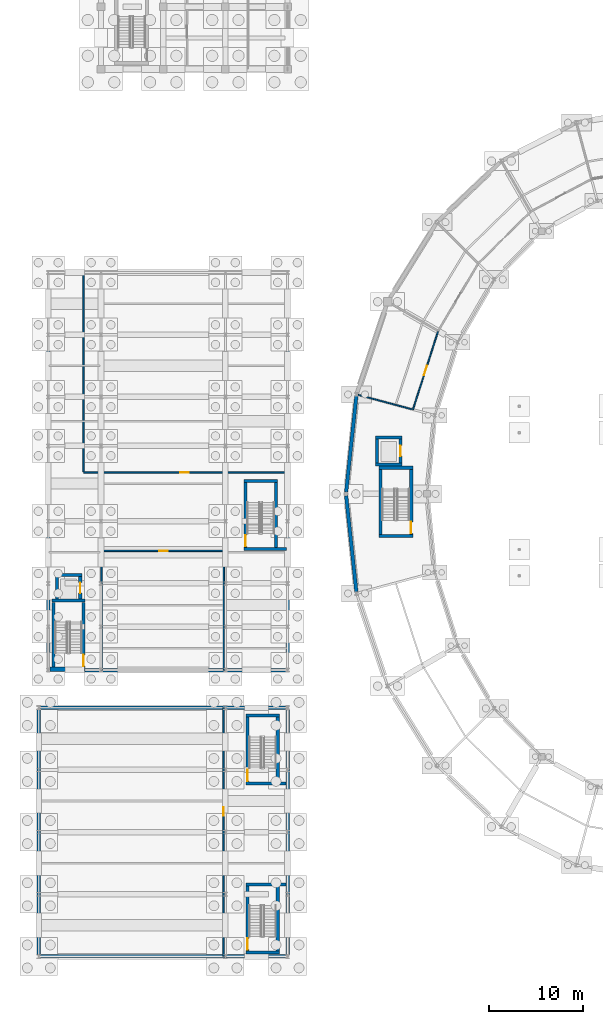
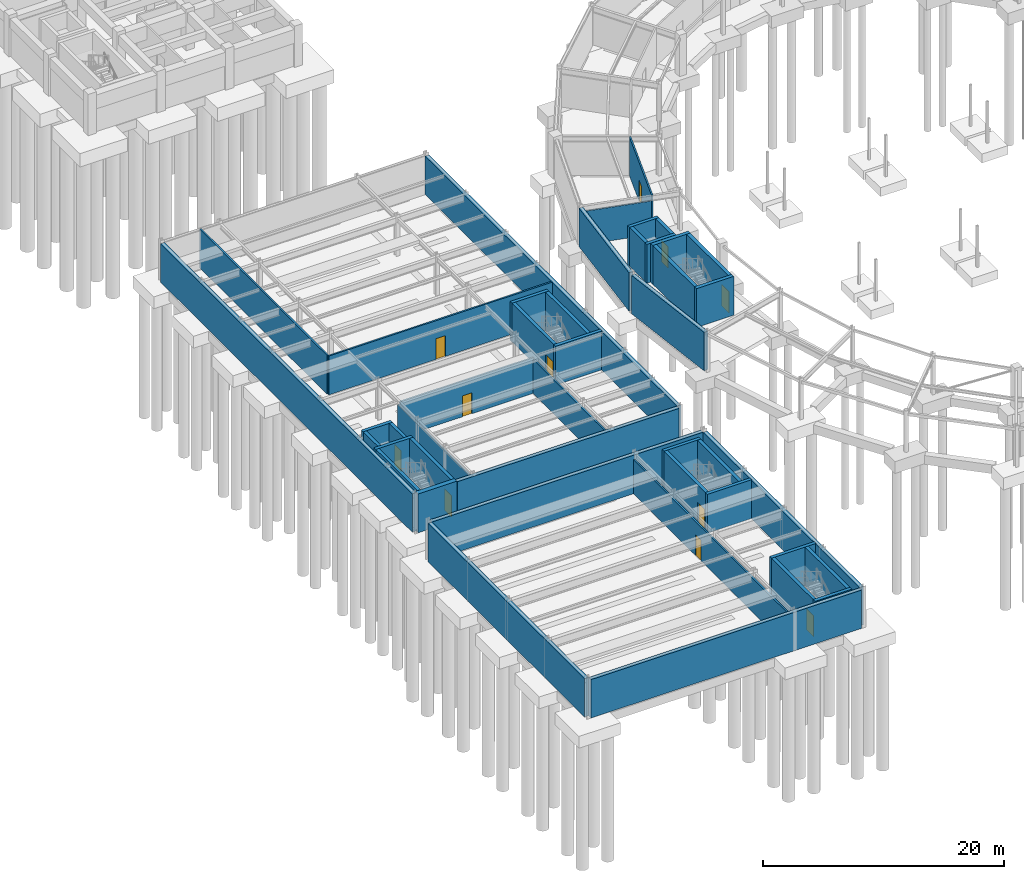
# One storey, part 42 of 58: 44 walls, 11 doors, 11 openings.
"""IFC4 building model written with IfcOpenShell, lengths in metres."""

from ifc_helpers import new_model, si_unit, direction, frame, frame_2d, origin, place, context, subcontext, project, spatial, rectangle, extrude, material, layer, layer_set, type_object, element, fill, save


model = new_model("IFC4")

# Units and contexts
model_context = context("Model", 3, precision=1e-05, world=origin(), true_north=direction((0.0, 1.0)))
body_context = subcontext(model_context, "Body", "Model", "MODEL_VIEW")
ifc_project = project(units=[si_unit("LENGTHUNIT", "METRE"), si_unit("AREAUNIT", "SQUARE_METRE"), si_unit("VOLUMEUNIT", "CUBIC_METRE"), si_unit("PLANEANGLEUNIT", "RADIAN"), si_unit("MASSUNIT", "GRAM", prefix="KILO")], contexts=[model_context])

# Site, building, storey
site_placement = place(None, origin())
site = spatial("IfcSite", under=ifc_project, at=site_placement, CompositionType="ELEMENT")
building_placement = place(site_placement, origin())
building = spatial("IfcBuilding", under=site, at=building_placement, Name="Karori Crest Natural Sciences Institute", CompositionType="ELEMENT")
storey_placement = place(building_placement, frame((0.0, 0.0, -4.199951171875)))
storey = spatial("IfcBuildingStorey", under=building, at=storey_placement, Name="B1", CompositionType="ELEMENT", Elevation=-4.199951171875)

# Walls
ifc_material_1 = material(Name="Concrete 50 MPa", Category="concrete")
ifc_layer_1 = layer(ifc_material_1, 0.449951171875, Name="Concrete 50 MPa")
ifc_layer_set_1 = layer_set([ifc_layer_1], Name="Concrete 50 MPa")
wall_type_1 = type_object("IfcWallType", Name="IWT-01", PredefinedType="SHEAR", material=ifc_layer_set_1)
wall_1_placement = place(storey_placement, frame((1.97705078125, 31.27490234375, 0.0), z_axis=(0.0, 0.0, 1.0), x_axis=(1.0, 0.0, 0.0)))
element("IfcWall", 1, at=wall_1_placement, inside=storey, type_object=wall_type_1, Name="Shear wall IW-0225", PredefinedType="SHEAR", context=body_context, shape_type="SweptSolid", body=[
    extrude(rectangle(XDim=3.742919921875, YDim=0.449951171875, at=frame_2d((1.87158203125, 0.0))), origin(), (0.0, 0.0, 1.0), 3.93994140625),
])
ifc_layer_2 = layer(ifc_material_1, 0.35009765625, Name="Concrete 50 MPa")
ifc_layer_set_2 = layer_set([ifc_layer_2], Name="Concrete 50 MPa")
wall_type_2 = type_object("IfcWallType", Name="IWT-02", PredefinedType="SHEAR", material=ifc_layer_set_2)
for number, where, z_axis, x_axis, name in (
    (2, (36.89990234375, 45.425048828125, 0.0), (0.0, 0.0, 1.0), (1.0, 0.0, 0.0), "Shear wall IW-0037"),
    (3, (36.89990234375, 52.675048828125, 0.0), (0.0, 0.0, 1.0), (1.0, 0.0, 0.0), "Shear wall IW-0038"),
):
    element("IfcWall", number, at=place(storey_placement, frame(where, z_axis=z_axis, x_axis=x_axis)), inside=storey, type_object=wall_type_2, Name=name, PredefinedType="SHEAR", context=body_context, shape_type="SweptSolid", body=[
        extrude(rectangle(XDim=3.60009765625, YDim=0.35009765625, at=frame_2d((1.800048828125, 0.0))), origin(), (0.0, 0.0, 1.0), 3.93994140625),
    ])
wall_2_placement = place(storey_placement, frame((37.074951171875, 45.60205078125, 0.0), z_axis=(0.0, 0.0, 1.0), x_axis=(0.0, 1.0, 0.0)))
element("IfcWall", 4, at=wall_2_placement, inside=storey, type_object=wall_type_2, Name="Shear wall IW-0039", PredefinedType="SHEAR", context=body_context, shape_type="SweptSolid", body=[
    extrude(rectangle(XDim=6.89599609375, YDim=0.35009765625, at=frame_2d((3.447998046875, 0.0))), origin(), (0.0, 0.0, 1.0), 3.93994140625),
])

# Wall, opening, door
wall_3_placement = place(storey_placement, frame((40.324951171875, 45.60205078125, 0.0), z_axis=(0.0, 0.0, 1.0), x_axis=(0.0, 1.0, 0.0)))
wall_3 = element("IfcWall", 5, at=wall_3_placement, inside=storey, type_object=wall_type_2, Name="Shear wall IW-0040", PredefinedType="SHEAR", context=body_context, shape_type="SweptSolid", body=[
    extrude(rectangle(XDim=6.89599609375, YDim=0.35009765625, at=frame_2d((3.447998046875, 0.0))), origin(), (0.0, 0.0, 1.0), 3.93994140625),
])
opening_1_placement = place(wall_3_placement, frame((0.1201171875, 0.0, 0.0)))
opening_1 = element("IfcOpeningElement", 6, at=opening_1_placement, cuts=wall_3, Name="Opening ID-0010", PredefinedType="OPENING", context=body_context, shape_type="SweptSolid", body=[
    extrude(rectangle(XDim=1.199951171875, YDim=2.14990234375, at=frame_2d((0.60009765625, 1.074951171875))), frame((0.0, 0.18505859375, 0.0), z_axis=(0.0, -1.0, 0.0), x_axis=(1.0, 0.0, 0.0)), (0.0, 0.0, 1.0), 0.3701171875),
])
ifc_material_2 = material(Name="Stainless steel 316 and fire-rated timber", Category="steel")
door_type_1 = type_object("IfcDoorType", Name="IDT-01", OperationType="NOTDEFINED", PredefinedType="DOOR", material=ifc_material_2)
door_1_placement = place(opening_1_placement, origin())
door_1 = element("IfcDoor", 7, at=door_1_placement, inside=storey, type_object=door_type_1, Name="Stair ST-02 fire door ID-0010", OperationType="SINGLE_SWING_RIGHT", OverallHeight=2.14990234375, OverallWidth=1.199951171875, PredefinedType="DOOR", context=body_context, shape_type="SweptSolid", body=[
    extrude(rectangle(XDim=1.199951171875, YDim=2.14990234375, at=frame_2d((0.60009765625, 1.074951171875))), frame((0.0, 0.02490234375, 0.0), z_axis=(0.0, -1.0, 0.0), x_axis=(1.0, 0.0, 0.0)), (0.0, 0.0, 1.0), 0.050048828125),
])
fill(opening_1, door_1)

# Walls
ifc_layer_3 = layer(ifc_material_1, 0.320068359375, Name="Concrete 50 MPa")
ifc_layer_set_3 = layer_set([ifc_layer_3], Name="Concrete 50 MPa")
wall_type_3 = type_object("IfcWallType", Name="IWT-03", PredefinedType="SHEAR", material=ifc_layer_set_3)
wall_4_placement = place(storey_placement, frame((2.179931640625, 38.56005859375, 0.0), z_axis=(0.0, 0.0, 1.0), x_axis=(1.0, 0.0, 0.0)))
element("IfcWall", 8, at=wall_4_placement, inside=storey, type_object=wall_type_3, Name="Shear wall IW-0226", PredefinedType="SHEAR", context=body_context, shape_type="SweptSolid", body=[
    extrude(rectangle(XDim=3.5400390625, YDim=0.320068359375, at=frame_2d((1.77001953125, 0.0))), origin(), (0.0, 0.0, 1.0), 3.93994140625),
])
wall_5_placement = place(storey_placement, frame((2.340087890625, 31.501953125, 0.0), z_axis=(0.0, 0.0, 1.0), x_axis=(0.0, 1.0, 0.0)))
element("IfcWall", 9, at=wall_5_placement, inside=storey, type_object=wall_type_3, Name="Shear wall IW-0227", PredefinedType="SHEAR", context=body_context, shape_type="SweptSolid", body=[
    extrude(rectangle(XDim=6.89599609375, YDim=0.320068359375, at=frame_2d((3.447998046875, 0.0))), origin(), (0.0, 0.0, 1.0), 3.93994140625),
])

# Wall, opening, door
wall_6_placement = place(storey_placement, frame((5.56005859375, 31.501953125, 0.0), z_axis=(0.0, 0.0, 1.0), x_axis=(0.0, 1.0, 0.0)))
wall_6 = element("IfcWall", 10, at=wall_6_placement, inside=storey, type_object=wall_type_3, Name="Shear wall IW-0228", PredefinedType="SHEAR", context=body_context, shape_type="SweptSolid", body=[
    extrude(rectangle(XDim=6.89599609375, YDim=0.320068359375, at=frame_2d((3.447998046875, 0.0))), origin(), (0.0, 0.0, 1.0), 3.93994140625),
])
opening_2_placement = place(wall_6_placement, frame((0.1201171875, 0.0, 0.0)))
opening_2 = element("IfcOpeningElement", 11, at=opening_2_placement, cuts=wall_6, Name="Opening ID-0057", PredefinedType="OPENING", context=body_context, shape_type="SweptSolid", body=[
    extrude(rectangle(XDim=1.199951171875, YDim=2.14990234375, at=frame_2d((0.60009765625, 1.074951171875))), frame((0.0, 0.169921875, 0.0), z_axis=(0.0, -1.0, 0.0), x_axis=(1.0, 0.0, 0.0)), (0.0, 0.0, 1.0), 0.340087890625),
])
door_2_placement = place(opening_2_placement, origin())
door_2 = element("IfcDoor", 12, at=door_2_placement, inside=storey, type_object=door_type_1, Name="Stair ST-07 fire door ID-0057", OperationType="SINGLE_SWING_LEFT", OverallHeight=2.14990234375, OverallWidth=1.199951171875, PredefinedType="DOOR", context=body_context, shape_type="SweptSolid", body=[
    extrude(rectangle(XDim=1.199951171875, YDim=2.14990234375, at=frame_2d((0.60009765625, 1.074951171875))), frame((0.0, 0.02490234375, 0.0), z_axis=(0.0, -1.0, 0.0), x_axis=(1.0, 0.0, 0.0)), (0.0, 0.0, 1.0), 0.050048828125),
])
fill(opening_2, door_2)

# Walls
wall_7_placement = place(storey_placement, frame((22.580078125, 44.0400390625, 0.0), z_axis=(0.0, 0.0, 1.0), x_axis=(1.0, 0.0, 0.0)))
element("IfcWall", 13, at=wall_7_placement, inside=storey, type_object=wall_type_3, Name="Shear wall IW-0249", PredefinedType="SHEAR", context=body_context, shape_type="SweptSolid", body=[
    extrude(rectangle(XDim=4.48486328125, YDim=0.320068359375, at=frame_2d((2.242431640625, 0.0))), origin(), (0.0, 0.0, 1.0), 3.93994140625),
])
wall_8_placement = place(storey_placement, frame((22.580078125, 51.260009765625, 0.0), z_axis=(0.0, 0.0, 1.0), x_axis=(1.0, 0.0, 0.0)))
element("IfcWall", 14, at=wall_8_placement, inside=storey, type_object=wall_type_3, Name="Shear wall IW-0250", PredefinedType="SHEAR", context=body_context, shape_type="SweptSolid", body=[
    extrude(rectangle(XDim=3.5400390625, YDim=0.320068359375, at=frame_2d((1.77001953125, 0.0))), origin(), (0.0, 0.0, 1.0), 3.93994140625),
])

# Wall, opening, door
wall_9_placement = place(storey_placement, frame((22.739990234375, 44.201904296875, 0.0), z_axis=(0.0, 0.0, 1.0), x_axis=(0.0, 1.0, 0.0)))
wall_9 = element("IfcWall", 15, at=wall_9_placement, inside=storey, type_object=wall_type_3, Name="Shear wall IW-0251", PredefinedType="SHEAR", context=body_context, shape_type="SweptSolid", body=[
    extrude(rectangle(XDim=6.89599609375, YDim=0.320068359375, at=frame_2d((3.447998046875, 0.0))), origin(), (0.0, 0.0, 1.0), 3.93994140625),
])
opening_3_placement = place(wall_9_placement, frame((0.1201171875, 0.0, 0.0)))
opening_3 = element("IfcOpeningElement", 16, at=opening_3_placement, cuts=wall_9, Name="Opening ID-0063", PredefinedType="OPENING", context=body_context, shape_type="SweptSolid", body=[
    extrude(rectangle(XDim=1.199951171875, YDim=2.14990234375, at=frame_2d((0.60009765625, 1.074951171875))), frame((0.0, 0.169921875, 0.0), z_axis=(0.0, -1.0, 0.0), x_axis=(1.0, 0.0, 0.0)), (0.0, 0.0, 1.0), 0.340087890625),
])
door_3_placement = place(opening_3_placement, origin())
door_3 = element("IfcDoor", 17, at=door_3_placement, inside=storey, type_object=door_type_1, Name="Stair ST-08 fire door ID-0063", OperationType="SINGLE_SWING_LEFT", OverallHeight=2.14990234375, OverallWidth=1.199951171875, PredefinedType="DOOR", context=body_context, shape_type="SweptSolid", body=[
    extrude(rectangle(XDim=1.199951171875, YDim=2.14990234375, at=frame_2d((0.60009765625, 1.074951171875))), frame((0.0, 0.02490234375, 0.0), z_axis=(0.0, -1.0, 0.0), x_axis=(1.0, 0.0, 0.0)), (0.0, 0.0, 1.0), 0.050048828125),
])
fill(opening_3, door_3)

# Walls
wall_10_placement = place(storey_placement, frame((25.9599609375, 44.201904296875, 0.0), z_axis=(0.0, 0.0, 1.0), x_axis=(0.0, 1.0, 0.0)))
element("IfcWall", 18, at=wall_10_placement, inside=storey, type_object=wall_type_3, Name="Shear wall IW-0252", PredefinedType="SHEAR", context=body_context, shape_type="SweptSolid", body=[
    extrude(rectangle(XDim=6.89599609375, YDim=0.320068359375, at=frame_2d((3.447998046875, 0.0))), origin(), (0.0, 0.0, 1.0), 3.93994140625),
])
wall_11_placement = place(storey_placement, frame((22.780029296875, 1.239990234375, 0.0), z_axis=(0.0, 0.0, 1.0), x_axis=(1.0, 0.0, 0.0)))
element("IfcWall", 19, at=wall_11_placement, inside=storey, type_object=wall_type_3, Name="Shear wall IW-0273", PredefinedType="SHEAR", context=body_context, shape_type="SweptSolid", body=[
    extrude(rectangle(XDim=3.5400390625, YDim=0.320068359375, at=frame_2d((1.77001953125, 0.0))), origin(), (0.0, 0.0, 1.0), 3.93994140625),
])
wall_12_placement = place(storey_placement, frame((22.780029296875, 8.4599609375, 0.0), z_axis=(0.0, 0.0, 1.0), x_axis=(1.0, 0.0, 0.0)))
element("IfcWall", 20, at=wall_12_placement, inside=storey, type_object=wall_type_3, Name="Shear wall IW-0274", PredefinedType="SHEAR", context=body_context, shape_type="SweptSolid", body=[
    extrude(rectangle(XDim=4.27490234375, YDim=0.320068359375, at=frame_2d((2.137451171875, 0.0))), origin(), (0.0, 0.0, 1.0), 3.93994140625),
])

# Wall, opening, door
wall_13_placement = place(storey_placement, frame((22.93994140625, 1.402099609375, 0.0), z_axis=(0.0, 0.0, 1.0), x_axis=(0.0, 1.0, 0.0)))
wall_13 = element("IfcWall", 21, at=wall_13_placement, inside=storey, type_object=wall_type_3, Name="Shear wall IW-0275", PredefinedType="SHEAR", context=body_context, shape_type="SweptSolid", body=[
    extrude(rectangle(XDim=6.89599609375, YDim=0.320068359375, at=frame_2d((3.447998046875, 0.0))), origin(), (0.0, 0.0, 1.0), 3.93994140625),
])
opening_4_placement = place(wall_13_placement, frame((0.1201171875, 0.0, 0.0)))
opening_4 = element("IfcOpeningElement", 22, at=opening_4_placement, cuts=wall_13, Name="Opening ID-0069", PredefinedType="OPENING", context=body_context, shape_type="SweptSolid", body=[
    extrude(rectangle(XDim=1.199951171875, YDim=2.14990234375, at=frame_2d((0.60009765625, 1.074951171875))), frame((0.0, 0.169921875, 0.0), z_axis=(0.0, -1.0, 0.0), x_axis=(1.0, 0.0, 0.0)), (0.0, 0.0, 1.0), 0.340087890625),
])
door_4_placement = place(opening_4_placement, origin())
door_4 = element("IfcDoor", 23, at=door_4_placement, inside=storey, type_object=door_type_1, Name="Stair ST-09 fire door ID-0069", OperationType="SINGLE_SWING_LEFT", OverallHeight=2.14990234375, OverallWidth=1.199951171875, PredefinedType="DOOR", context=body_context, shape_type="SweptSolid", body=[
    extrude(rectangle(XDim=1.199951171875, YDim=2.14990234375, at=frame_2d((0.60009765625, 1.074951171875))), frame((0.0, 0.02490234375, 0.0), z_axis=(0.0, -1.0, 0.0), x_axis=(1.0, 0.0, 0.0)), (0.0, 0.0, 1.0), 0.050048828125),
])
fill(opening_4, door_4)

# Walls
wall_14_placement = place(storey_placement, frame((26.159912109375, 1.402099609375, 0.0), z_axis=(0.0, 0.0, 1.0), x_axis=(0.0, 1.0, 0.0)))
element("IfcWall", 24, at=wall_14_placement, inside=storey, type_object=wall_type_3, Name="Shear wall IW-0276", PredefinedType="SHEAR", context=body_context, shape_type="SweptSolid", body=[
    extrude(rectangle(XDim=6.89599609375, YDim=0.320068359375, at=frame_2d((3.447998046875, 0.0))), origin(), (0.0, 0.0, 1.0), 3.93994140625),
])
wall_15_placement = place(storey_placement, frame((22.780029296875, 19.139892578125, 0.0), z_axis=(0.0, 0.0, 1.0), x_axis=(1.0, 0.0, 0.0)))
element("IfcWall", 25, at=wall_15_placement, inside=storey, type_object=wall_type_3, Name="Shear wall IW-0289", PredefinedType="SHEAR", context=body_context, shape_type="SweptSolid", body=[
    extrude(rectangle(XDim=4.27490234375, YDim=0.320068359375, at=frame_2d((2.137451171875, 0.0))), origin(), (0.0, 0.0, 1.0), 3.93994140625),
])
wall_16_placement = place(storey_placement, frame((22.780029296875, 26.360107421875, 0.0), z_axis=(0.0, 0.0, 1.0), x_axis=(1.0, 0.0, 0.0)))
element("IfcWall", 26, at=wall_16_placement, inside=storey, type_object=wall_type_3, Name="Shear wall IW-0290", PredefinedType="SHEAR", context=body_context, shape_type="SweptSolid", body=[
    extrude(rectangle(XDim=3.5400390625, YDim=0.320068359375, at=frame_2d((1.77001953125, 0.0))), origin(), (0.0, 0.0, 1.0), 3.93994140625),
])

# Wall, opening, door
wall_17_placement = place(storey_placement, frame((22.93994140625, 19.302001953125, 0.0), z_axis=(0.0, 0.0, 1.0), x_axis=(0.0, 1.0, 0.0)))
wall_17 = element("IfcWall", 27, at=wall_17_placement, inside=storey, type_object=wall_type_3, Name="Shear wall IW-0291", PredefinedType="SHEAR", context=body_context, shape_type="SweptSolid", body=[
    extrude(rectangle(XDim=6.89599609375, YDim=0.320068359375, at=frame_2d((3.447998046875, 0.0))), origin(), (0.0, 0.0, 1.0), 3.93994140625),
])
opening_5_placement = place(wall_17_placement, frame((0.1201171875, 0.0, 0.0)))
opening_5 = element("IfcOpeningElement", 28, at=opening_5_placement, cuts=wall_17, Name="Opening ID-0073", PredefinedType="OPENING", context=body_context, shape_type="SweptSolid", body=[
    extrude(rectangle(XDim=1.199951171875, YDim=2.14990234375, at=frame_2d((0.60009765625, 1.074951171875))), frame((0.0, 0.169921875, 0.0), z_axis=(0.0, -1.0, 0.0), x_axis=(1.0, 0.0, 0.0)), (0.0, 0.0, 1.0), 0.340087890625),
])
door_5_placement = place(opening_5_placement, origin())
door_5 = element("IfcDoor", 29, at=door_5_placement, inside=storey, type_object=door_type_1, Name="Stair ST-10 fire door ID-0073", OperationType="SINGLE_SWING_LEFT", OverallHeight=2.14990234375, OverallWidth=1.199951171875, PredefinedType="DOOR", context=body_context, shape_type="SweptSolid", body=[
    extrude(rectangle(XDim=1.199951171875, YDim=2.14990234375, at=frame_2d((0.60009765625, 1.074951171875))), frame((0.0, 0.02490234375, 0.0), z_axis=(0.0, -1.0, 0.0), x_axis=(1.0, 0.0, 0.0)), (0.0, 0.0, 1.0), 0.050048828125),
])
fill(opening_5, door_5)

# Walls
wall_18_placement = place(storey_placement, frame((26.159912109375, 19.302001953125, 0.0), z_axis=(0.0, 0.0, 1.0), x_axis=(0.0, 1.0, 0.0)))
element("IfcWall", 30, at=wall_18_placement, inside=storey, type_object=wall_type_3, Name="Shear wall IW-0292", PredefinedType="SHEAR", context=body_context, shape_type="SweptSolid", body=[
    extrude(rectangle(XDim=6.89599609375, YDim=0.320068359375, at=frame_2d((3.447998046875, 0.0))), origin(), (0.0, 0.0, 1.0), 3.93994140625),
])
for number, where, z_axis, x_axis, name in (
    (31, (36.544921875, 53.030029296875, 0.0), (0.0, 0.0, 1.0), (1.0, 0.0, 0.0), "Shear wall IW-0437"),
    (32, (36.544921875, 55.89501953125, 0.0), (0.0, 0.0, 1.0), (1.0, 0.0, 0.0), "Shear wall IW-0438"),
):
    element("IfcWall", number, at=place(storey_placement, frame(where, z_axis=z_axis, x_axis=x_axis)), inside=storey, type_object=wall_type_3, Name=name, PredefinedType="SHEAR", context=body_context, shape_type="SweptSolid", body=[
        extrude(rectangle(XDim=2.81005859375, YDim=0.320068359375, at=frame_2d((1.405029296875, 0.0))), origin(), (0.0, 0.0, 1.0), 3.93994140625),
    ])
wall_19_placement = place(storey_placement, frame((36.705078125, 53.19189453125, 0.0), z_axis=(0.0, 0.0, 1.0), x_axis=(0.0, 1.0, 0.0)))
element("IfcWall", 33, at=wall_19_placement, inside=storey, type_object=wall_type_3, Name="Shear wall IW-0439", PredefinedType="SHEAR", context=body_context, shape_type="SweptSolid", body=[
    extrude(rectangle(XDim=2.541015625, YDim=0.320068359375, at=frame_2d((1.2705078125, 0.0))), origin(), (0.0, 0.0, 1.0), 3.93994140625),
])

# Wall, opening, door
wall_20_placement = place(storey_placement, frame((39.195068359375, 53.19189453125, 0.0), z_axis=(0.0, 0.0, 1.0), x_axis=(0.0, 1.0, 0.0)))
wall_20 = element("IfcWall", 34, at=wall_20_placement, inside=storey, type_object=wall_type_3, Name="Shear wall IW-0440", PredefinedType="SHEAR", context=body_context, shape_type="SweptSolid", body=[
    extrude(rectangle(XDim=2.541015625, YDim=0.320068359375, at=frame_2d((1.2705078125, 0.0))), origin(), (0.0, 0.0, 1.0), 3.93994140625),
])
opening_6_placement = place(wall_20_placement, frame((0.720458984375, 0.0, 0.0)))
opening_6 = element("IfcOpeningElement", 35, at=opening_6_placement, cuts=wall_20, Name="Opening LD-0034", PredefinedType="OPENING", context=body_context, shape_type="SweptSolid", body=[
    extrude(rectangle(XDim=1.10009765625, YDim=2.14990234375, at=frame_2d((0.550048828125, 1.074951171875))), frame((0.0, 0.169921875, 0.0), z_axis=(0.0, -1.0, 0.0), x_axis=(1.0, 0.0, 0.0)), (0.0, 0.0, 1.0), 0.340087890625),
])
door_type_2 = type_object("IfcDoorType", Name="LDT-01", OperationType="SLIDING_TO_LEFT", PredefinedType="DOOR", material=ifc_material_2)
door_6_placement = place(opening_6_placement, origin())
door_6 = element("IfcDoor", 36, at=door_6_placement, inside=storey, type_object=door_type_2, Name="Lift LP-02 landing door LD-0034", OperationType="SLIDING_TO_LEFT", OverallHeight=2.14990234375, OverallWidth=1.10009765625, PredefinedType="DOOR", context=body_context, shape_type="SweptSolid", body=[
    extrude(rectangle(XDim=1.10009765625, YDim=2.14990234375, at=frame_2d((0.550048828125, 1.074951171875))), frame((0.0, 0.02490234375, 0.0), z_axis=(0.0, -1.0, 0.0), x_axis=(1.0, 0.0, 0.0)), (0.0, 0.0, 1.0), 0.050048828125),
])
fill(opening_6, door_6)

# Walls
wall_21_placement = place(storey_placement, frame((2.544921875, 41.294921875, 0.0), z_axis=(0.0, 0.0, 1.0), x_axis=(1.0, 0.0, 0.0)))
element("IfcWall", 37, at=wall_21_placement, inside=storey, type_object=wall_type_3, Name="Shear wall IW-0469", PredefinedType="SHEAR", context=body_context, shape_type="SweptSolid", body=[
    extrude(rectangle(XDim=2.81005859375, YDim=0.320068359375, at=frame_2d((1.405029296875, 0.0))), origin(), (0.0, 0.0, 1.0), 3.93994140625),
])
wall_22_placement = place(storey_placement, frame((2.705078125, 38.721923828125, 0.0), z_axis=(0.0, 0.0, 1.0), x_axis=(0.0, 1.0, 0.0)))
element("IfcWall", 38, at=wall_22_placement, inside=storey, type_object=wall_type_3, Name="Shear wall IW-0470", PredefinedType="SHEAR", context=body_context, shape_type="SweptSolid", body=[
    extrude(rectangle(XDim=2.4111328125, YDim=0.320068359375, at=frame_2d((1.20556640625, 0.0))), origin(), (0.0, 0.0, 1.0), 3.93994140625),
])

# Wall, opening, door
wall_23_placement = place(storey_placement, frame((5.195068359375, 38.721923828125, 0.0), z_axis=(0.0, 0.0, 1.0), x_axis=(0.0, 1.0, 0.0)))
wall_23 = element("IfcWall", 39, at=wall_23_placement, inside=storey, type_object=wall_type_3, Name="Shear wall IW-0471", PredefinedType="SHEAR", context=body_context, shape_type="SweptSolid", body=[
    extrude(rectangle(XDim=2.4111328125, YDim=0.320068359375, at=frame_2d((1.20556640625, 0.0))), origin(), (0.0, 0.0, 1.0), 3.93994140625),
])
opening_7_placement = place(wall_23_placement, frame((0.655517578125, 0.0, 0.0)))
opening_7 = element("IfcOpeningElement", 40, at=opening_7_placement, cuts=wall_23, Name="Opening LD-0042", PredefinedType="OPENING", context=body_context, shape_type="SweptSolid", body=[
    extrude(rectangle(XDim=1.10009765625, YDim=2.14990234375, at=frame_2d((0.550048828125, 1.074951171875))), frame((0.0, 0.169921875, 0.0), z_axis=(0.0, -1.0, 0.0), x_axis=(1.0, 0.0, 0.0)), (0.0, 0.0, 1.0), 0.340087890625),
])
door_7_placement = place(opening_7_placement, origin())
door_7 = element("IfcDoor", 41, at=door_7_placement, inside=storey, type_object=door_type_2, Name="Lift LP-03 landing door LD-0042", OperationType="SLIDING_TO_LEFT", OverallHeight=2.14990234375, OverallWidth=1.10009765625, PredefinedType="DOOR", context=body_context, shape_type="SweptSolid", body=[
    extrude(rectangle(XDim=1.10009765625, YDim=2.14990234375, at=frame_2d((0.550048828125, 1.074951171875))), frame((0.0, 0.02490234375, 0.0), z_axis=(0.0, -1.0, 0.0), x_axis=(1.0, 0.0, 0.0)), (0.0, 0.0, 1.0), 0.050048828125),
])
fill(opening_7, door_7)

ifc_material_3 = material(Name="Acoustic steel-stud fireboard partition", Category="steel")
ifc_layer_4 = layer(ifc_material_3, 0.159912109375, Name="Acoustic steel-stud fireboard partition")
ifc_layer_set_4 = layer_set([ifc_layer_4], Name="Acoustic steel-stud fireboard partition")
wall_type_4 = type_object("IfcWallType", Name="IWT-05", PredefinedType="PARTITIONING", material=ifc_layer_set_4)
wall_24_placement = place(storey_placement, frame((20.39990234375, 0.800048828125, 0.0), z_axis=(0.0, 0.0, 1.0), x_axis=(0.0, 1.0, 0.0)))
wall_24 = element("IfcWall", 42, at=wall_24_placement, inside=storey, type_object=wall_type_4, Name="Partition wall IW-1050", PredefinedType="PARTITIONING", context=body_context, shape_type="SweptSolid", body=[
    extrude(rectangle(XDim=26.39990234375, YDim=0.159912109375, at=frame_2d((13.199951171875, 0.0))), origin(), (0.0, 0.0, 1.0), 3.445068359375),
])
opening_8_placement = place(wall_24_placement, frame((14.949951171875, 0.0, 0.0)))
opening_8 = element("IfcOpeningElement", 43, at=opening_8_placement, cuts=wall_24, Name="Opening ID-0293", PredefinedType="OPENING", context=body_context, shape_type="SweptSolid", body=[
    extrude(rectangle(XDim=0.89990234375, YDim=2.10009765625, at=frame_2d((0.449951171875, 1.050048828125))), frame((0.0, 0.08984375, 0.0), z_axis=(0.0, -1.0, 0.0), x_axis=(1.0, 0.0, 0.0)), (0.0, 0.0, 1.0), 0.179931640625),
])
door_type_3 = type_object("IfcDoorType", Name="IDT-07", OperationType="NOTDEFINED", PredefinedType="DOOR", material=ifc_material_2)
door_8_placement = place(opening_8_placement, origin())
door_8 = element("IfcDoor", 44, at=door_8_placement, inside=storey, type_object=door_type_3, Name="Lecture Pavilion Acoustic Return Plenum Plant Room door ID-0293", OperationType="SINGLE_SWING_LEFT", OverallHeight=2.10009765625, OverallWidth=0.89990234375, PredefinedType="DOOR", context=body_context, shape_type="SweptSolid", body=[
    extrude(rectangle(XDim=0.89990234375, YDim=2.10009765625, at=frame_2d((0.449951171875, 1.050048828125))), frame((0.0, 0.02490234375, 0.0), z_axis=(0.0, -1.0, 0.0), x_axis=(1.0, 0.0, 0.0)), (0.0, 0.0, 1.0), 0.050048828125),
])
fill(opening_8, door_8)

wall_25_placement = place(storey_placement, frame((7.612060546875, 43.85009765625, 0.0), z_axis=(0.0, 0.0, 1.0), x_axis=(1.0, 0.0, 0.0)))
wall_25 = element("IfcWall", 45, at=wall_25_placement, inside=storey, type_object=wall_type_4, Name="Partition wall IW-1074", PredefinedType="PARTITIONING", context=body_context, shape_type="SweptSolid", body=[
    extrude(rectangle(XDim=12.837890625, YDim=0.159912109375, at=frame_2d((6.4189453125, 0.0))), origin(), (0.0, 0.0, 1.0), 3.60498046875),
])
opening_9_placement = place(wall_25_placement, frame((5.958984375, 0.0, 0.0)))
opening_9 = element("IfcOpeningElement", 46, at=opening_9_placement, cuts=wall_25, Name="Opening ID-0308", PredefinedType="OPENING", context=body_context, shape_type="SweptSolid", body=[
    extrude(rectangle(XDim=0.919921875, YDim=2.1201171875, at=frame_2d((0.4599609375, 1.06005859375))), frame((0.0, 0.08984375, 0.0), z_axis=(0.0, -1.0, 0.0), x_axis=(1.0, 0.0, 0.0)), (0.0, 0.0, 1.0), 0.179931640625),
])
door_type_4 = type_object("IfcDoorType", Name="IDT-14", OperationType="NOTDEFINED", PredefinedType="DOOR", material=ifc_material_2)
door_9_placement = place(opening_9_placement, origin())
door_9 = element("IfcDoor", 47, at=door_9_placement, inside=storey, type_object=door_type_4, Name="Specimen Archive Compact Storage Vault door ID-0308", OperationType="SINGLE_SWING_LEFT", OverallHeight=2.1201171875, OverallWidth=0.919921875, PredefinedType="DOOR", context=body_context, shape_type="SweptSolid", body=[
    extrude(rectangle(XDim=0.919921875, YDim=2.1201171875, at=frame_2d((0.4599609375, 1.06005859375))), frame((0.0, 0.02490234375, 0.0), z_axis=(0.0, -1.0, 0.0), x_axis=(1.0, 0.0, 0.0)), (0.0, 0.0, 1.0), 0.050048828125),
])
fill(opening_9, door_9)

# Walls
wall_26_placement = place(storey_placement, frame((7.449951171875, 31.199951171875, 0.0), z_axis=(0.0, 0.0, 1.0), x_axis=(0.0, 1.0, 0.0)))
element("IfcWall", 48, at=wall_26_placement, inside=storey, type_object=wall_type_4, Name="Partition wall IW-1075", PredefinedType="PARTITIONING", context=body_context, shape_type="SweptSolid", body=[
    extrude(rectangle(XDim=12.568115234375, YDim=0.159912109375, at=frame_2d((6.2841796875, 0.0))), origin(), (0.0, 0.0, 1.0), 3.445068359375),
])
wall_27_placement = place(storey_placement, frame((20.449951171875, 31.199951171875, 0.0), z_axis=(0.0, 0.0, 1.0), x_axis=(0.0, 1.0, 0.0)))
element("IfcWall", 49, at=wall_27_placement, inside=storey, type_object=wall_type_4, Name="Partition wall IW-1076", PredefinedType="PARTITIONING", context=body_context, shape_type="SweptSolid", body=[
    extrude(rectangle(XDim=12.650146484375, YDim=0.159912109375, at=frame_2d((6.3251953125, 0.0))), origin(), (0.0, 0.0, 1.0), 3.445068359375),
])

# Wall, opening, door
wall_28_placement = place(storey_placement, frame((5.550048828125, 52.14990234375, 0.0), z_axis=(0.0, 0.0, 1.0), x_axis=(1.0, 0.0, 0.0)))
wall_28 = element("IfcWall", 50, at=wall_28_placement, inside=storey, type_object=wall_type_4, Name="Partition wall IW-1077", PredefinedType="PARTITIONING", context=body_context, shape_type="SweptSolid", body=[
    extrude(rectangle(XDim=21.4580078125, YDim=0.159912109375, at=frame_2d((10.72900390625, 0.0))), origin(), (0.0, 0.0, 1.0), 3.93994140625),
])
opening_10_placement = place(wall_28_placement, frame((10.279052734375, 0.0, 0.0)))
opening_10 = element("IfcOpeningElement", 51, at=opening_10_placement, cuts=wall_28, Name="Opening ID-0309", PredefinedType="OPENING", context=body_context, shape_type="SweptSolid", body=[
    extrude(rectangle(XDim=0.89990234375, YDim=2.10009765625, at=frame_2d((0.449951171875, 1.050048828125))), frame((0.0, 0.08984375, 0.0), z_axis=(0.0, -1.0, 0.0), x_axis=(1.0, 0.0, 0.0)), (0.0, 0.0, 1.0), 0.179931640625),
])
door_10_placement = place(opening_10_placement, origin())
door_10 = element("IfcDoor", 52, at=door_10_placement, inside=storey, type_object=door_type_3, Name="Marine Core Cold Storage Vault door ID-0309", OperationType="SINGLE_SWING_RIGHT", OverallHeight=2.10009765625, OverallWidth=0.89990234375, PredefinedType="DOOR", context=body_context, shape_type="SweptSolid", body=[
    extrude(rectangle(XDim=0.89990234375, YDim=2.10009765625, at=frame_2d((0.449951171875, 1.050048828125))), frame((0.0, 0.02490234375, 0.0), z_axis=(0.0, -1.0, 0.0), x_axis=(1.0, 0.0, 0.0)), (0.0, 0.0, 1.0), 0.050048828125),
])
fill(opening_10, door_10)

# Wall
wall_29_placement = place(storey_placement, frame((5.550048828125, 52.23193359375, 0.0), z_axis=(0.0, 0.0, 1.0), x_axis=(0.0, 1.0, 0.0)))
element("IfcWall", 53, at=wall_29_placement, inside=storey, type_object=wall_type_4, Name="Partition wall IW-1078", PredefinedType="PARTITIONING", context=body_context, shape_type="SweptSolid", body=[
    extrude(rectangle(XDim=21.16796875, YDim=0.159912109375, at=frame_2d((10.583984375, 0.0))), origin(), (0.0, 0.0, 1.0), 3.93994140625),
])

# Wall, opening, door
ifc_material_4 = material(Name="Laboratory acoustic drywall partition")
ifc_layer_5 = layer(ifc_material_4, 0.139892578125, Name="Laboratory acoustic drywall partition")
ifc_layer_set_5 = layer_set([ifc_layer_5], Name="Laboratory acoustic drywall partition")
wall_type_5 = type_object("IfcWallType", Name="IWT-07", PredefinedType="PARTITIONING", material=ifc_layer_set_5)
wall_30_placement = place(storey_placement, frame((43.16796875, 67.1298828125, 0.0), z_axis=(0.0, 0.0, 1.0), x_axis=(-0.305487150125, -0.952196198852, 0.0)))
wall_30 = element("IfcWall", 54, at=wall_30_placement, inside=storey, type_object=wall_type_5, Name="Partition wall IW-1166", PredefinedType="PARTITIONING", context=body_context, shape_type="SweptSolid", body=[
    extrude(rectangle(XDim=8.6904296875, YDim=0.139892578125, at=frame_2d((4.34521484375, 0.0))), origin(), (0.0, 0.0, 1.0), 3.93994140625),
])
opening_11_placement = place(wall_30_placement, frame((3.820068359375, 0.0, 0.0)))
opening_11 = element("IfcOpeningElement", 55, at=opening_11_placement, cuts=wall_30, Name="Opening ID-0347", PredefinedType="OPENING", context=body_context, shape_type="SweptSolid", body=[
    extrude(rectangle(XDim=1.050048828125, YDim=2.14990234375, at=frame_2d((0.52490234375, 1.074951171875))), frame((0.0, 0.080078125, 0.0), z_axis=(0.0, -1.0, 0.0), x_axis=(1.0, 0.0, 0.0)), (0.0, 0.0, 1.0), 0.159912109375),
])
door_type_5 = type_object("IfcDoorType", Name="IDT-03", OperationType="NOTDEFINED", PredefinedType="DOOR", material=ifc_material_2)
door_11_placement = place(opening_11_placement, origin())
door_11 = element("IfcDoor", 56, at=door_11_placement, inside=storey, type_object=door_type_5, Name="Specimen Cold Store door ID-0347", OperationType="SINGLE_SWING_LEFT", OverallHeight=2.14990234375, OverallWidth=1.050048828125, PredefinedType="DOOR", context=body_context, shape_type="SweptSolid", body=[
    extrude(rectangle(XDim=1.050048828125, YDim=2.14990234375, at=frame_2d((0.52490234375, 1.074951171875))), frame((0.0, 0.02490234375, 0.0), z_axis=(0.0, -1.0, 0.0), x_axis=(1.0, 0.0, 0.0)), (0.0, 0.0, 1.0), 0.050048828125),
])
fill(opening_11, door_11)

# Walls
wall_31_placement = place(storey_placement, frame((40.435791015625, 58.875732421875, 0.0), z_axis=(0.0, 0.0, 1.0), x_axis=(-0.96592525441, 0.258821179375, 0.0)))
element("IfcWall", 57, at=wall_31_placement, inside=storey, type_object=wall_type_5, Name="Partition wall IW-1167", PredefinedType="PARTITIONING", context=body_context, shape_type="SweptSolid", body=[
    extrude(rectangle(XDim=5.927490234375, YDim=0.139892578125, at=frame_2d((2.9638671875, 0.0))), origin(), (0.0, 0.0, 1.0), 3.391845703125),
])
ifc_material_5 = material(Name="Concrete 40 MPa", Category="concrete")
ifc_layer_6 = layer(ifc_material_5, 0.3798828125, Name="Concrete 40 MPa")
ifc_layer_set_6 = layer_set([ifc_layer_6], Name="Concrete 40 MPa")
wall_type_6 = type_object("IfcWallType", Name="WT-08", PredefinedType="USERDEFINED", material=ifc_layer_set_6)
for number, where, z_axis, x_axis, name in (
    (58, (33.42138671875, 50.10009765625, 0.0), (0.0, 0.0, 1.0), (0.105884325246, 0.994378453944, 0.0), "Exterior wall EW-0017"),
    (59, (34.506103515625, 39.51318359375, 0.0), (0.0, 0.0, 1.0), (-0.105884325246, 0.994378453944, 0.0), "Exterior wall EW-0018"),
):
    element("IfcWall", number, at=place(storey_placement, frame(where, z_axis=z_axis, x_axis=x_axis)), inside=storey, type_object=wall_type_6, Name=name, ObjectType="RETAININGWALL", PredefinedType="USERDEFINED", context=body_context, shape_type="SweptSolid", body=[
        extrude(rectangle(XDim=10.244384765625, YDim=0.3798828125, at=frame_2d((5.1220703125, 0.0))), origin(), (0.0, 0.0, 1.0), 3.89990234375),
    ])
for number, where, z_axis, x_axis, name in (
    (60, (0.800048828125, 0.998046875, 0.0), (0.0, 0.0, 1.0), (0.0, 1.0, 0.0), "Exterior wall EW-0113"),
    (61, (0.998046875, 27.199951171875, 0.0), (0.0, 0.0, 1.0), (1.0, 0.0, 0.0), "Exterior wall EW-0114"),
    (62, (27.199951171875, 27.001953125, 0.0), (0.0, 0.0, 1.0), (0.0, -1.0, 0.0), "Exterior wall EW-0115"),
    (63, (27.001953125, 0.800048828125, 0.0), (0.0, 0.0, 1.0), (-1.0, 0.0, 0.0), "Exterior wall EW-0116"),
):
    element("IfcWall", number, at=place(storey_placement, frame(where, z_axis=z_axis, x_axis=x_axis)), inside=storey, type_object=wall_type_6, Name=name, ObjectType="RETAININGWALL", PredefinedType="USERDEFINED", context=body_context, shape_type="SweptSolid", body=[
        extrude(rectangle(XDim=26.00390625, YDim=0.3798828125, at=frame_2d((13.001953125, 0.0))), origin(), (0.0, 0.0, 1.0), 3.89990234375),
    ])
for number, where, z_axis, x_axis, name in (
    (64, (1.800048828125, 31.373046875, 0.0), (0.0, 0.0, 1.0), (0.0, 1.0, 0.0), "Exterior wall EW-0129"),
    (65, (27.199951171875, 73.22705078125, 0.0), (0.0, 0.0, 1.0), (0.0, -1.0, 0.0), "Exterior wall EW-0131"),
):
    element("IfcWall", number, at=place(storey_placement, frame(where, z_axis=z_axis, x_axis=x_axis)), inside=storey, type_object=wall_type_6, Name=name, ObjectType="RETAININGWALL", PredefinedType="USERDEFINED", context=body_context, shape_type="SweptSolid", body=[
        extrude(rectangle(XDim=41.85400390625, YDim=0.3798828125, at=frame_2d((20.927001953125, 0.0))), origin(), (0.0, 0.0, 1.0), 3.89990234375),
    ])
wall_32_placement = place(storey_placement, frame((27.027099609375, 31.199951171875, 0.0), z_axis=(0.0, 0.0, 1.0), x_axis=(-1.0, 0.0, 0.0)))
element("IfcWall", 66, at=wall_32_placement, inside=storey, type_object=wall_type_6, Name="Exterior wall EW-0132", ObjectType="RETAININGWALL", PredefinedType="USERDEFINED", context=body_context, shape_type="SweptSolid", body=[
    extrude(rectangle(XDim=21.30517578125, YDim=0.3798828125, at=frame_2d((10.652587890625, 0.0))), origin(), (0.0, 0.0, 1.0), 3.89990234375),
])

save(model, "model.ifc")
